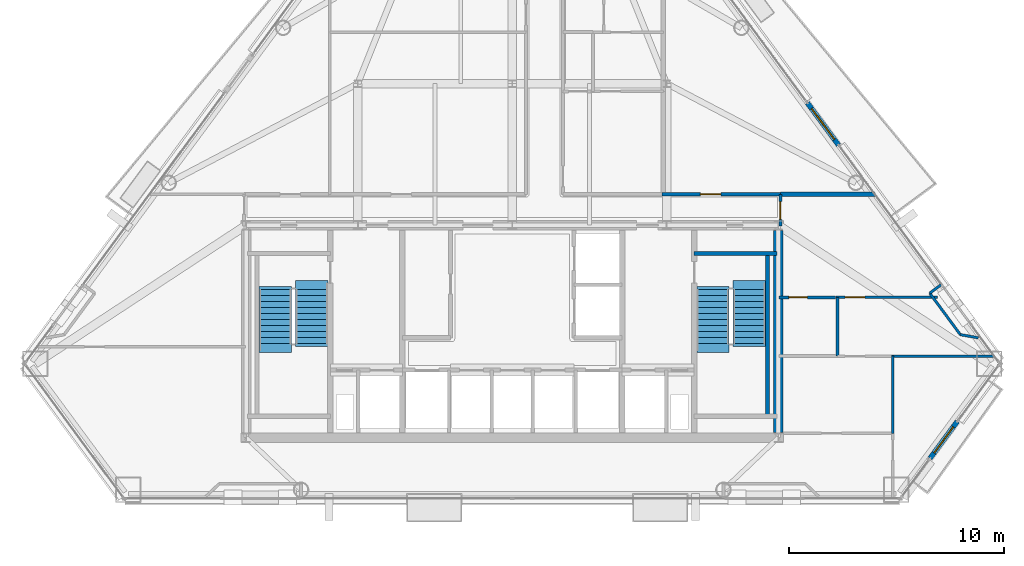
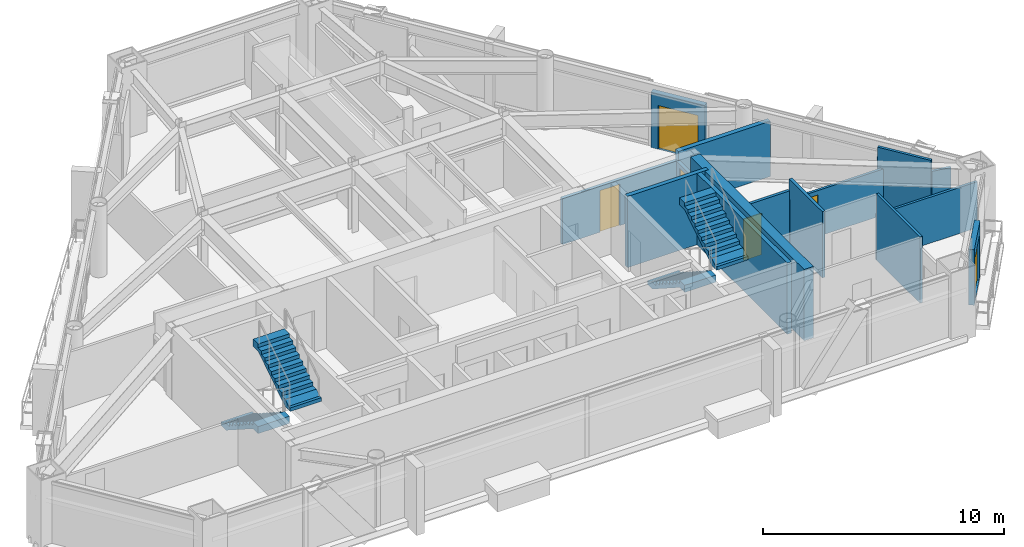
# One storey, part 9 of 11: 16 walls, 6 doors, 4 stair flights, 6 openings, 2 elements without a shape of their own.
"""IFC4 building model written with IfcOpenShell, lengths in metres."""

from ifc_helpers import new_model, si_unit, direction, frame, frame_2d, origin, place, context, subcontext, project, spatial, polyline, rectangle, outline, extrude, material, layer, layer_set, type_object, element, fill, aggregate, save


model = new_model("IFC4")

# Units and contexts
model_context = context("Model", 3, precision=1e-05, world=origin(), true_north=direction((0.0, 1.0)))
body_context = subcontext(model_context, "Body", "Model", "MODEL_VIEW")
ifc_project = project(units=[si_unit("LENGTHUNIT", "METRE"), si_unit("AREAUNIT", "SQUARE_METRE"), si_unit("VOLUMEUNIT", "CUBIC_METRE"), si_unit("PLANEANGLEUNIT", "RADIAN"), si_unit("MASSUNIT", "GRAM", prefix="KILO")], contexts=[model_context])

# Site, building, storey
site_placement = place(None, origin())
site = spatial("IfcSite", under=ifc_project, at=site_placement, CompositionType="ELEMENT")
building_placement = place(site_placement, origin())
building = spatial("IfcBuilding", under=site, at=building_placement, Name="Talgorran Terracotta Tower", CompositionType="ELEMENT")
storey_placement = place(building_placement, frame((0.0, 0.0, 161.699951171875)))
storey = spatial("IfcBuildingStorey", under=building, at=storey_placement, Name="L42", CompositionType="ELEMENT", Elevation=161.699951171875)

# Wall, opening, door
ifc_material_1 = material(Name="Concrete C40/50", Category="concrete")
ifc_layer_1 = layer(ifc_material_1, 0.239990234375, Name="WT_BALCONY_SPAND")
ifc_layer_set_1 = layer_set([ifc_layer_1], Name="Concrete C40/50")
wall_type_1 = type_object("IfcWallType", Name="WT_BALCONY_SPAND", PredefinedType="STANDARD", material=ifc_layer_set_1)
wall_1_placement = place(storey_placement, frame((15.20849609375, -0.460693359375, -0.014892578125), z_axis=(0.0, 0.0, 1.0), x_axis=(-0.593785976482, 0.804623026102, 0.0)))
wall_1 = element("IfcWall", 1, at=wall_1_placement, inside=storey, type_object=wall_type_1, Name="WL-L42-BALP-BAL-NE", PredefinedType="STANDARD", context=body_context, shape_type="SweptSolid", body=[
    extrude(rectangle(XDim=2.439697265625, YDim=0.239990234375, at=frame_2d((1.2197265625, 0.0))), origin(), (0.0, 0.0, 1.0), 2.806884765625),
])
opening_1_placement = place(wall_1_placement, frame((0.320068359375, 0.0, 0.014892578125)))
opening_1 = element("IfcOpeningElement", 2, at=opening_1_placement, cuts=wall_1, Name="Opening D-BAL-L42-1", PredefinedType="OPENING", context=body_context, shape_type="SweptSolid", body=[
    extrude(rectangle(XDim=1.806048828125, YDim=2.203951171875, at=frame_2d((0.89990234375, 1.10205078125))), frame((0.0, 0.1298828125, 0.0), z_axis=(0.0, -1.0, 0.0), x_axis=(1.0, 0.0, 0.0)), (0.0, 0.0, 1.0), 0.260009765625),
])
ifc_material_2 = material(Name="Thermally Broken Aluminium", Category="aluminium")
door_type_1 = type_object("IfcDoorType", Name="DT_BALC_1800", OperationType="SLIDING_TO_LEFT", PredefinedType="DOOR", material=ifc_material_2)
door_1_placement = place(opening_1_placement, origin())
door_1 = element("IfcDoor", 3, at=door_1_placement, inside=storey, type_object=door_type_1, Name="DR-L42-BAL-BAL-NE", OperationType="SLIDING_TO_LEFT", OverallHeight=2.199951171875, OverallWidth=1.800048828125, PredefinedType="DOOR", context=body_context, shape_type="SweptSolid", body=[
    extrude(rectangle(XDim=1.800048828125, YDim=2.199951171875, at=frame_2d((0.89990234375, 1.10009765625))), frame((0.0, 0.02490234375, 0.0), z_axis=(0.0, -1.0, 0.0), x_axis=(1.0, 0.0, 0.0)), (0.0, 0.0, 1.0), 0.050048828125),
])
fill(opening_1, door_1)

wall_2_placement = place(storey_placement, frame((19.474853515625, -15.067138671875, -0.014892578125), z_axis=(0.0, 0.0, 1.0), x_axis=(0.593794270714, 0.804616905158, 0.0)))
wall_2 = element("IfcWall", 4, at=wall_2_placement, inside=storey, type_object=wall_type_1, Name="WL-L42-BALP-BAL-SE", PredefinedType="STANDARD", context=body_context, shape_type="SweptSolid", body=[
    extrude(rectangle(XDim=2.14013671875, YDim=0.239990234375, at=frame_2d((1.070068359375, 0.0))), origin(), (0.0, 0.0, 1.0), 2.806884765625),
])
opening_2_placement = place(wall_2_placement, frame((0.320068359375, 0.0, 0.014892578125)))
opening_2 = element("IfcOpeningElement", 5, at=opening_2_placement, cuts=wall_2, Name="Opening D-BAL-L42-3", PredefinedType="OPENING", context=body_context, shape_type="SweptSolid", body=[
    extrude(rectangle(XDim=1.506, YDim=2.203951171875, at=frame_2d((0.75, 1.10205078125))), frame((0.0, 0.1298828125, 0.0), z_axis=(0.0, -1.0, 0.0), x_axis=(1.0, 0.0, 0.0)), (0.0, 0.0, 1.0), 0.260009765625),
])
door_type_2 = type_object("IfcDoorType", Name="DT_BALC_1500", OperationType="SLIDING_TO_RIGHT", PredefinedType="DOOR", material=ifc_material_2)
door_2_placement = place(opening_2_placement, origin())
door_2 = element("IfcDoor", 6, at=door_2_placement, inside=storey, type_object=door_type_2, Name="DR-L42-BAL-BAL-SE", OperationType="SLIDING_TO_RIGHT", OverallHeight=2.199951171875, OverallWidth=1.5, PredefinedType="DOOR", context=body_context, shape_type="SweptSolid", body=[
    extrude(rectangle(XDim=1.5, YDim=2.199951171875, at=frame_2d((0.75, 1.10009765625))), frame((0.0, 0.02490234375, 0.0), z_axis=(0.0, -1.0, 0.0), x_axis=(1.0, 0.0, 0.0)), (0.0, 0.0, 1.0), 0.050048828125),
])
fill(opening_2, door_2)

# Walls
ifc_material_3 = material(Name="Concrete C50/60", Category="concrete")
ifc_layer_2 = layer(ifc_material_3, 0.199951171875, Name="WT_CORE_200")
ifc_layer_set_2 = layer_set([ifc_layer_2], Name="Concrete C50/60")
wall_type_2 = type_object("IfcWallType", Name="WT_CORE_200", PredefinedType="SOLIDWALL", material=ifc_layer_set_2)
wall_3_placement = place(storey_placement, frame((8.47998046875, -5.52001953125, 0.0), z_axis=(0.0, 0.0, 1.0), x_axis=(1.0, 0.0, 0.0)))
element("IfcWall", 7, at=wall_3_placement, inside=storey, type_object=wall_type_2, Name="WL-L42-CW-ST2-N", PredefinedType="SOLIDWALL", context=body_context, shape_type="SweptSolid", body=[
    extrude(rectangle(XDim=3.8701171875, YDim=0.199951171875, at=frame_2d((1.93505859375, 0.0))), origin(), (0.0, 0.0, 1.0), 3.60009765625),
])
wall_4_placement = place(storey_placement, frame((11.89990234375, -13.10009765625, 0.0), z_axis=(0.0, 0.0, 1.0), x_axis=(0.0, 1.0, 0.0)))
element("IfcWall", 8, at=wall_4_placement, inside=storey, type_object=wall_type_2, Name="WL-L42-CW-ST2-E", PredefinedType="SOLIDWALL", context=body_context, shape_type="SweptSolid", body=[
    extrude(rectangle(XDim=7.580078125, YDim=0.199951171875, at=frame_2d((3.7900390625, 0.0))), origin(), (0.0, 0.0, 1.0), 3.60009765625),
])
ifc_material_4 = material(Name="Concrete C65/80", Category="concrete")
ifc_layer_3 = layer(ifc_material_4, 0.449951171875, Name="WT_CORE_EXT")
ifc_layer_set_3 = layer_set([ifc_layer_3], Name="Concrete C65/80")
wall_type_3 = type_object("IfcWallType", Name="WT_CORE_EXT", PredefinedType="SHEAR", material=ifc_layer_set_3)
wall_5_placement = place(storey_placement, frame((12.39990234375, -13.85009765625, 0.0), z_axis=(0.0, 0.0, 1.0), x_axis=(0.0, 1.0, 0.0)))
element("IfcWall", 9, at=wall_5_placement, inside=storey, type_object=wall_type_3, Name="WL-L42-CW-OUT-E", PredefinedType="SHEAR", context=body_context, shape_type="SweptSolid", body=[
    extrude(rectangle(XDim=9.400146484375, YDim=0.449951171875, at=frame_2d((4.7001953125, 0.0))), origin(), (0.0, 0.0, 1.0), 3.60009765625),
])

# Wall, opening, door
ifc_material_5 = material(Name="Fire-Rated Steel Stud Plasterboard", Category="steel")
ifc_layer_4 = layer(ifc_material_5, 0.14990234375, Name="WT_FIRE_150")
ifc_layer_set_4 = layer_set([ifc_layer_4], Name="Fire-Rated Steel Stud Plasterboard")
wall_type_4 = type_object("IfcWallType", Name="WT_FIRE_150", PredefinedType="PARTITIONING", material=ifc_layer_set_4)
wall_6_placement = place(storey_placement, frame((6.97998046875, -2.760009765625, 0.0), z_axis=(0.0, 0.0, 1.0), x_axis=(1.0, 0.0, 0.0)))
wall_6 = element("IfcWall", 10, at=wall_6_placement, inside=storey, type_object=wall_type_4, Name="WL-L42-W-L42-R12", PredefinedType="PARTITIONING", context=body_context, shape_type="SweptSolid", body=[
    extrude(rectangle(XDim=5.52001953125, YDim=0.14990234375, at=frame_2d((2.760009765625, 0.0))), origin(), (0.0, 0.0, 1.0), 2.324951171875),
])
opening_3_placement = place(wall_6_placement, frame((1.788330078125, 0.0, 0.0)))
opening_3 = element("IfcOpeningElement", 11, at=opening_3_placement, cuts=wall_6, Name="Opening DR-L42-R13", PredefinedType="OPENING", context=body_context, shape_type="SweptSolid", body=[
    extrude(rectangle(XDim=0.955951171875, YDim=2.10409765625, at=frame_2d((0.47509765625, 1.052001953125))), frame((0.0, 0.0849609375, 0.0), z_axis=(0.0, -1.0, 0.0), x_axis=(1.0, 0.0, 0.0)), (0.0, 0.0, 1.0), 0.169921875),
])
ifc_material_6 = material(Name="Fire-Rated Timber Core", Category="wood")
door_type_3 = type_object("IfcDoorType", Name="DT_FIRE_950", OperationType="NOTDEFINED", PredefinedType="DOOR", material=ifc_material_6)
door_3_placement = place(opening_3_placement, origin())
door_3 = element("IfcDoor", 12, at=door_3_placement, inside=storey, type_object=door_type_3, Name="DR-L42-R13", OperationType="SINGLE_SWING_LEFT", OverallHeight=2.10009765625, OverallWidth=0.949951171875, PredefinedType="DOOR", context=body_context, shape_type="SweptSolid", body=[
    extrude(rectangle(XDim=0.949951171875, YDim=2.10009765625, at=frame_2d((0.47509765625, 1.050048828125))), frame((0.0, 0.02490234375, 0.0), z_axis=(0.0, -1.0, 0.0), x_axis=(1.0, 0.0, 0.0)), (0.0, 0.0, 1.0), 0.050048828125),
])
fill(opening_3, door_3)

wall_7_placement = place(storey_placement, frame((12.5, -4.239990234375, 0.0), z_axis=(0.0, 0.0, 1.0), x_axis=(0.0, 1.0, 0.0)))
wall_7 = element("IfcWall", 13, at=wall_7_placement, inside=storey, type_object=wall_type_4, Name="WL-L42-W-L42-R01", PredefinedType="PARTITIONING", context=body_context, shape_type="SweptSolid", body=[
    extrude(rectangle(XDim=1.47998046875, YDim=0.14990234375, at=frame_2d((0.739990234375, 0.0))), origin(), (0.0, 0.0, 1.0), 2.324951171875),
])
opening_4_placement = place(wall_7_placement, frame((0.31494140625, 0.0, 0.0)))
opening_4 = element("IfcOpeningElement", 14, at=opening_4_placement, cuts=wall_7, Name="Opening DR-L42-R01", PredefinedType="OPENING", context=body_context, shape_type="SweptSolid", body=[
    extrude(rectangle(XDim=0.826068359375, YDim=2.10409765625, at=frame_2d((0.41015625, 1.052001953125))), frame((0.0, 0.0849609375, 0.0), z_axis=(0.0, -1.0, 0.0), x_axis=(1.0, 0.0, 0.0)), (0.0, 0.0, 1.0), 0.169921875),
])
ifc_material_7 = material(Name="Moisture-Resistant Solid Timber", Category="wood")
door_type_4 = type_object("IfcDoorType", Name="DT_INT_820", OperationType="NOTDEFINED", PredefinedType="DOOR", material=ifc_material_7)
door_4_placement = place(opening_4_placement, origin())
door_4 = element("IfcDoor", 15, at=door_4_placement, inside=storey, type_object=door_type_4, Name="DR-L42-R01", OperationType="SINGLE_SWING_LEFT", OverallHeight=2.10009765625, OverallWidth=0.820068359375, PredefinedType="DOOR", context=body_context, shape_type="SweptSolid", body=[
    extrude(rectangle(XDim=0.820068359375, YDim=2.10009765625, at=frame_2d((0.41015625, 1.050048828125))), frame((0.0, 0.02490234375, 0.0), z_axis=(0.0, -1.0, 0.0), x_axis=(1.0, 0.0, 0.0)), (0.0, 0.0, 1.0), 0.050048828125),
])
fill(opening_4, door_4)

# Walls
ifc_material_8 = material(Name="Acoustic Masonry and Plasterboard", Category="masonry")
ifc_layer_5 = layer(ifc_material_8, 0.219970703125, Name="WT_PARTY_220")
ifc_layer_set_5 = layer_set([ifc_layer_5], Name="Acoustic Masonry and Plasterboard")
wall_type_5 = type_object("IfcWallType", Name="WT_PARTY_220", PredefinedType="PARTITIONING", material=ifc_layer_set_5)
wall_8_placement = place(storey_placement, frame((12.5, -2.760009765625, 0.0), z_axis=(0.0, 0.0, 1.0), x_axis=(1.0, 0.0, 0.0)))
element("IfcWall", 16, at=wall_8_placement, inside=storey, type_object=wall_type_5, Name="WL-L42-W-L42-R16", PredefinedType="PARTITIONING", context=body_context, shape_type="SweptSolid", body=[
    extrude(rectangle(XDim=4.4052734375, YDim=0.219970703125, at=frame_2d((2.20263671875, 0.0))), origin(), (0.0, 0.0, 1.0), 2.7919921875),
])
ifc_material_9 = material(Name="Insulated Steel Stud Plasterboard", Category="steel")
ifc_layer_6 = layer(ifc_material_9, 0.1201171875, Name="WT_PART_120")
ifc_layer_set_6 = layer_set([ifc_layer_6], Name="Insulated Steel Stud Plasterboard")
wall_type_6 = type_object("IfcWallType", Name="WT_PART_120", PredefinedType="PARTITIONING", material=ifc_layer_set_6)
wall_9_placement = place(storey_placement, frame((17.679931640625, -10.300048828125, 0.0), z_axis=(0.0, 0.0, 1.0), x_axis=(1.0, 0.0, 0.0)))
element("IfcWall", 17, at=wall_9_placement, inside=storey, type_object=wall_type_6, Name="WL-L42-W-L42-R20", PredefinedType="PARTITIONING", context=body_context, shape_type="SweptSolid", body=[
    extrude(rectangle(XDim=4.78955078125, YDim=0.1201171875, at=frame_2d((2.394775390625, 0.0))), origin(), (0.0, 0.0, 1.0), 2.324951171875),
])

# Wall, opening, door
wall_10_placement = place(storey_placement, frame((15.080078125, -7.56005859375, 0.0), z_axis=(0.0, 0.0, 1.0), x_axis=(1.0, 0.0, 0.0)))
wall_10 = element("IfcWall", 18, at=wall_10_placement, inside=storey, type_object=wall_type_6, Name="WL-L42-W-L42-R15", PredefinedType="PARTITIONING", context=body_context, shape_type="SweptSolid", body=[
    extrude(rectangle(XDim=4.739990234375, YDim=0.1201171875, at=frame_2d((2.3701171875, 0.0))), origin(), (0.0, 0.0, 1.0), 2.324951171875),
])
opening_5_placement = place(wall_10_placement, frame((0.436279296875, 0.0, 0.0)))
opening_5 = element("IfcOpeningElement", 19, at=opening_5_placement, cuts=wall_10, Name="Opening DR-L42-R03", PredefinedType="OPENING", context=body_context, shape_type="SweptSolid", body=[
    extrude(rectangle(XDim=0.925921875, YDim=2.10409765625, at=frame_2d((0.4599609375, 1.052001953125))), frame((0.0, 0.070068359375, 0.0), z_axis=(0.0, -1.0, 0.0), x_axis=(1.0, 0.0, 0.0)), (0.0, 0.0, 1.0), 0.14013671875),
])
ifc_material_10 = material(Name="Solid-Core Painted Timber", Category="wood")
door_type_5 = type_object("IfcDoorType", Name="DT_INT_920", OperationType="NOTDEFINED", PredefinedType="DOOR", material=ifc_material_10)
door_5_placement = place(opening_5_placement, origin())
door_5 = element("IfcDoor", 20, at=door_5_placement, inside=storey, type_object=door_type_5, Name="DR-L42-R03", OperationType="SINGLE_SWING_LEFT", OverallHeight=2.10009765625, OverallWidth=0.919921875, PredefinedType="DOOR", context=body_context, shape_type="SweptSolid", body=[
    extrude(rectangle(XDim=0.919921875, YDim=2.10009765625, at=frame_2d((0.4599609375, 1.050048828125))), frame((0.0, 0.02490234375, 0.0), z_axis=(0.0, -1.0, 0.0), x_axis=(1.0, 0.0, 0.0)), (0.0, 0.0, 1.0), 0.050048828125),
])
fill(opening_5, door_5)

# Walls
wall_11_placement = place(storey_placement, frame((17.739990234375, -13.89990234375, 0.0), z_axis=(0.0, 0.0, 1.0), x_axis=(0.0, 1.0, 0.0)))
element("IfcWall", 21, at=wall_11_placement, inside=storey, type_object=wall_type_6, Name="WL-L42-W-L42-R23", PredefinedType="PARTITIONING", context=body_context, shape_type="SweptSolid", body=[
    extrude(rectangle(XDim=3.599853515625, YDim=0.1201171875, at=frame_2d((1.7998046875, 0.0))), origin(), (0.0, 0.0, 1.0), 3.35009765625),
])
wall_12_placement = place(storey_placement, frame((20.88671875, -9.30029296875, 0.0), z_axis=(0.0, 0.0, 1.0), x_axis=(-0.593808475203, 0.804606422282, 0.0)))
element("IfcWall", 22, at=wall_12_placement, inside=storey, type_object=wall_type_6, Name="WL-L42-BW-L42-13", PredefinedType="PARTITIONING", context=body_context, shape_type="SweptSolid", body=[
    extrude(rectangle(XDim=2.404296875, YDim=0.1201171875, at=frame_2d((1.2021484375, 0.0))), origin(), (0.0, 0.0, 1.0), 3.35009765625),
])
wall_13_placement = place(storey_placement, frame((21.723876953125, -9.448486328125, 0.0), z_axis=(0.0, 0.0, 1.0), x_axis=(-0.984690909561, 0.174309531089, 0.0)))
element("IfcWall", 23, at=wall_13_placement, inside=storey, type_object=wall_type_6, Name="WL-L42-BW-L42-12", PredefinedType="PARTITIONING", context=body_context, shape_type="SweptSolid", body=[
    extrude(rectangle(XDim=0.85009765625, YDim=0.1201171875, at=frame_2d((0.425048828125, 0.0))), origin(), (0.0, 0.0, 1.0), 2.7919921875),
])
wall_14_placement = place(storey_placement, frame((19.458984375, -7.36572265625, 0.0), z_axis=(0.0, 0.0, 1.0), x_axis=(0.804698441933, 0.59368376898, 0.0)))
element("IfcWall", 24, at=wall_14_placement, inside=storey, type_object=wall_type_6, Name="WL-L42-BW-L42-11", PredefinedType="PARTITIONING", context=body_context, shape_type="SweptSolid", body=[
    extrude(rectangle(XDim=0.669921875, YDim=0.1201171875, at=frame_2d((0.3349609375, 0.0))), origin(), (0.0, 0.0, 1.0), 2.7919921875),
])

# Wall, opening, door
ifc_material_11 = material(Name="Moisture-Resistant Stud Wall")
ifc_layer_7 = layer(ifc_material_11, 0.135009765625, Name="WT_PART_135")
ifc_layer_set_7 = layer_set([ifc_layer_7], Name="Moisture-Resistant Stud Wall")
wall_type_7 = type_object("IfcWallType", Name="WT_PART_135", PredefinedType="PARTITIONING", material=ifc_layer_set_7)
wall_15_placement = place(storey_placement, frame((12.43994140625, -7.56005859375, 0.0), z_axis=(0.0, 0.0, 1.0), x_axis=(1.0, 0.0, 0.0)))
wall_15 = element("IfcWall", 25, at=wall_15_placement, inside=storey, type_object=wall_type_7, Name="WL-L42-W-L42-R14", PredefinedType="PARTITIONING", context=body_context, shape_type="SweptSolid", body=[
    extrude(rectangle(XDim=2.637939453125, YDim=0.135009765625, at=frame_2d((1.31884765625, 0.0))), origin(), (0.0, 0.0, 1.0), 2.7919921875),
])
opening_6_placement = place(wall_15_placement, frame((0.458251953125, 0.0, 0.0)))
opening_6 = element("IfcOpeningElement", 26, at=opening_6_placement, cuts=wall_15, Name="Opening DR-L42-R02", PredefinedType="OPENING", context=body_context, shape_type="SweptSolid", body=[
    extrude(rectangle(XDim=0.85609765625, YDim=2.10409765625, at=frame_2d((0.425048828125, 1.052001953125))), frame((0.0, 0.07763671875, 0.0), z_axis=(0.0, -1.0, 0.0), x_axis=(1.0, 0.0, 0.0)), (0.0, 0.0, 1.0), 0.155029296875),
])
door_type_6 = type_object("IfcDoorType", Name="DT_INT_850", OperationType="NOTDEFINED", PredefinedType="DOOR", material=ifc_material_7)
door_6_placement = place(opening_6_placement, origin())
door_6 = element("IfcDoor", 27, at=door_6_placement, inside=storey, type_object=door_type_6, Name="DR-L42-R02", OperationType="SINGLE_SWING_RIGHT", OverallHeight=2.10009765625, OverallWidth=0.85009765625, PredefinedType="DOOR", context=body_context, shape_type="SweptSolid", body=[
    extrude(rectangle(XDim=0.85009765625, YDim=2.10009765625, at=frame_2d((0.425048828125, 1.050048828125))), frame((0.0, 0.02490234375, 0.0), z_axis=(0.0, -1.0, 0.0), x_axis=(1.0, 0.0, 0.0)), (0.0, 0.0, 1.0), 0.050048828125),
])
fill(opening_6, door_6)

# Wall
wall_16_placement = place(storey_placement, frame((15.159912109375, -10.300048828125, 0.0), z_axis=(0.0, 0.0, 1.0), x_axis=(0.0, 1.0, 0.0)))
element("IfcWall", 28, at=wall_16_placement, inside=storey, type_object=wall_type_7, Name="WL-L42-W-L42-R17", PredefinedType="PARTITIONING", context=body_context, shape_type="SweptSolid", body=[
    extrude(rectangle(XDim=2.739990234375, YDim=0.135009765625, at=frame_2d((1.3701171875, 0.0))), origin(), (0.0, 0.0, 1.0), 3.35009765625),
])

# Stair, stair flights
stair_type = type_object("IfcStairType", Name="ST_FIRE_SCISSOR", PredefinedType="HALF_TURN_STAIR", material=ifc_material_1)
stair_1_placement = place(storey_placement, origin())
stair_1 = element("IfcStair", 29, at=stair_1_placement, inside=storey, type_object=stair_type, Name="L42 West Protected Fire Stair ST-01", PredefinedType="HALF_TURN_STAIR")
ifc_layer_8 = layer(ifc_material_1, 0.179931640625, Name="STF_RC_1500")
ifc_layer_set_8 = layer_set([ifc_layer_8], Name="Concrete C40/50")
stair_flight_type = type_object("IfcStairFlightType", Name="STF_RC_1500", PredefinedType="STRAIGHT", material=ifc_layer_set_8)
stair_flight_1_placement = place(storey_placement, frame((-11.050048828125, -7.199951171875, 0.0), z_axis=(0.0, 0.0, 1.0), x_axis=(0.0, -1.0, 0.0)))
stair_flight_1 = element("IfcStairFlight", 30, at=stair_flight_1_placement, type_object=stair_flight_type, Name="ST-01 flight 1", NumberOfRisers=10, NumberOfTreads=9, PredefinedType="STRAIGHT", RiserHeight=0.18, TreadLength=0.28, context=body_context, shape_type="SweptSolid", body=[
    extrude(outline(polyline([(-0.139892578125, 0.0), (-0.139892578125, 0.179931640625), (0.0, 0.179931640625), (0.280029296875, 0.360107421875), (0.56005859375, 0.360107421875), (0.56005859375, 0.5400390625), (0.840087890625, 0.5400390625), (0.840087890625, 0.719970703125), (1.1201171875, 0.719970703125), (1.1201171875, 0.89990234375), (1.39990234375, 0.89990234375), (1.39990234375, 1.080078125), (1.679931640625, 1.080078125), (1.679931640625, 1.260009765625), (1.9599609375, 1.260009765625), (1.9599609375, 1.43994140625), (2.239990234375, 1.43994140625), (2.239990234375, 1.6201171875), (2.52001953125, 1.6201171875), (2.52001953125, 1.800048828125), (2.93994140625, 1.800048828125), (2.93994140625, 1.44189453125), (2.52001953125, 1.44189453125), (0.277099609375, 0.0), (-0.139892578125, 0.0)])), frame((0.0, 0.75, 0.0), z_axis=(0.0, -1.0, 0.0), x_axis=(1.0, 0.0, 0.0)), (0.0, 0.0, 1.0), 1.5),
])
stair_flight_2_placement = place(storey_placement, frame((-9.35009765625, -9.719970703125, 1.800048828125), z_axis=(0.0, 0.0, 1.0), x_axis=(0.0, 1.0, 0.0)))
stair_flight_2 = element("IfcStairFlight", 31, at=stair_flight_2_placement, type_object=stair_flight_type, Name="ST-01 flight 2", NumberOfRisers=10, NumberOfTreads=9, PredefinedType="STRAIGHT", RiserHeight=0.18, TreadLength=0.28, context=body_context, shape_type="SweptSolid", body=[
    extrude(outline(polyline([(-0.139892578125, 0.0), (-0.139892578125, 0.179931640625), (0.0, 0.179931640625), (0.280029296875, 0.360107421875), (0.56005859375, 0.360107421875), (0.56005859375, 0.5400390625), (0.840087890625, 0.5400390625), (0.840087890625, 0.719970703125), (1.1201171875, 0.719970703125), (1.1201171875, 0.89990234375), (1.39990234375, 0.89990234375), (1.39990234375, 1.080078125), (1.679931640625, 1.080078125), (1.679931640625, 1.260009765625), (1.9599609375, 1.260009765625), (1.9599609375, 1.43994140625), (2.239990234375, 1.43994140625), (2.239990234375, 1.6201171875), (2.52001953125, 1.6201171875), (2.52001953125, 1.800048828125), (2.93994140625, 1.800048828125), (2.93994140625, 1.44189453125), (2.52001953125, 1.44189453125), (0.277099609375, 0.0), (-0.139892578125, 0.0)])), frame((0.0, 0.75, 0.0), z_axis=(0.0, -1.0, 0.0), x_axis=(1.0, 0.0, 0.0)), (0.0, 0.0, 1.0), 1.5),
])
aggregate(stair_1, [stair_flight_1, stair_flight_2])

stair_2_placement = place(storey_placement, origin())
stair_2 = element("IfcStair", 32, at=stair_2_placement, inside=storey, type_object=stair_type, Name="L42 East Protected Fire Stair ST-02", PredefinedType="HALF_TURN_STAIR")
stair_flight_3_placement = place(storey_placement, frame((9.35009765625, -7.199951171875, 0.0), z_axis=(0.0, 0.0, 1.0), x_axis=(0.0, -1.0, 0.0)))
stair_flight_3 = element("IfcStairFlight", 33, at=stair_flight_3_placement, type_object=stair_flight_type, Name="ST-02 flight 1", NumberOfRisers=10, NumberOfTreads=9, PredefinedType="STRAIGHT", RiserHeight=0.18, TreadLength=0.28, context=body_context, shape_type="SweptSolid", body=[
    extrude(outline(polyline([(-0.139892578125, 0.0), (-0.139892578125, 0.179931640625), (0.0, 0.179931640625), (0.280029296875, 0.360107421875), (0.56005859375, 0.360107421875), (0.56005859375, 0.5400390625), (0.840087890625, 0.5400390625), (0.840087890625, 0.719970703125), (1.1201171875, 0.719970703125), (1.1201171875, 0.89990234375), (1.39990234375, 0.89990234375), (1.39990234375, 1.080078125), (1.679931640625, 1.080078125), (1.679931640625, 1.260009765625), (1.9599609375, 1.260009765625), (1.9599609375, 1.43994140625), (2.239990234375, 1.43994140625), (2.239990234375, 1.6201171875), (2.52001953125, 1.6201171875), (2.52001953125, 1.800048828125), (2.93994140625, 1.800048828125), (2.93994140625, 1.44189453125), (2.52001953125, 1.44189453125), (0.277099609375, 0.0), (-0.139892578125, 0.0)])), frame((0.0, 0.75, 0.0), z_axis=(0.0, -1.0, 0.0), x_axis=(1.0, 0.0, 0.0)), (0.0, 0.0, 1.0), 1.5),
])
stair_flight_4_placement = place(storey_placement, frame((11.050048828125, -9.719970703125, 1.800048828125), z_axis=(0.0, 0.0, 1.0), x_axis=(0.0, 1.0, 0.0)))
stair_flight_4 = element("IfcStairFlight", 34, at=stair_flight_4_placement, type_object=stair_flight_type, Name="ST-02 flight 2", NumberOfRisers=10, NumberOfTreads=9, PredefinedType="STRAIGHT", RiserHeight=0.18, TreadLength=0.28, context=body_context, shape_type="SweptSolid", body=[
    extrude(outline(polyline([(-0.139892578125, 0.0), (-0.139892578125, 0.179931640625), (0.0, 0.179931640625), (0.280029296875, 0.360107421875), (0.56005859375, 0.360107421875), (0.56005859375, 0.5400390625), (0.840087890625, 0.5400390625), (0.840087890625, 0.719970703125), (1.1201171875, 0.719970703125), (1.1201171875, 0.89990234375), (1.39990234375, 0.89990234375), (1.39990234375, 1.080078125), (1.679931640625, 1.080078125), (1.679931640625, 1.260009765625), (1.9599609375, 1.260009765625), (1.9599609375, 1.43994140625), (2.239990234375, 1.43994140625), (2.239990234375, 1.6201171875), (2.52001953125, 1.6201171875), (2.52001953125, 1.800048828125), (2.93994140625, 1.800048828125), (2.93994140625, 1.44189453125), (2.52001953125, 1.44189453125), (0.277099609375, 0.0), (-0.139892578125, 0.0)])), frame((0.0, 0.75, 0.0), z_axis=(0.0, -1.0, 0.0), x_axis=(1.0, 0.0, 0.0)), (0.0, 0.0, 1.0), 1.5),
])
aggregate(stair_2, [stair_flight_3, stair_flight_4])

save(model, "model.ifc")
